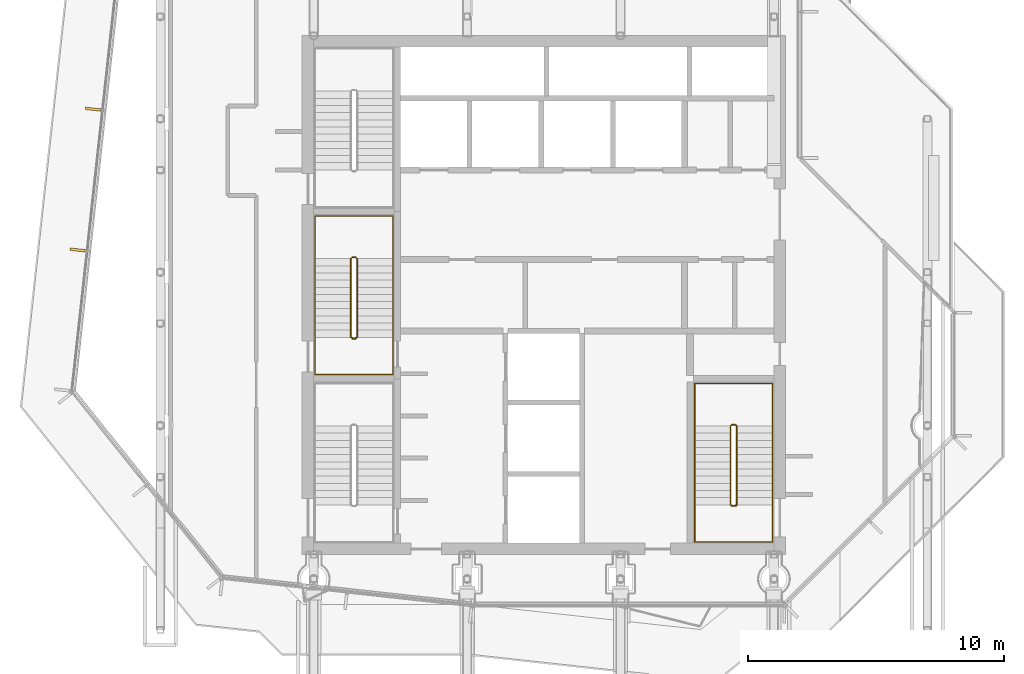
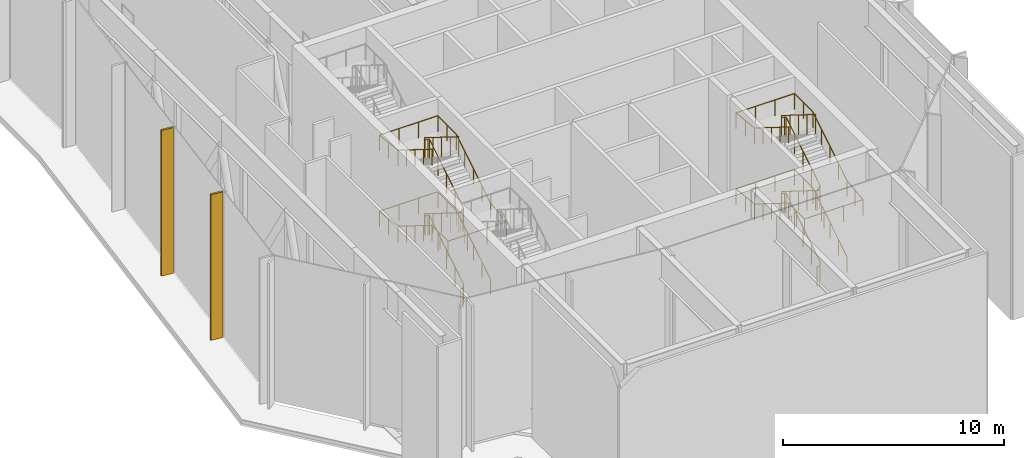
# One storey, part 17 of 21: 4 railings, 2 coverings.
"""IFC4 building model written with IfcOpenShell, lengths in metres."""

from ifc_helpers import new_model, si_unit, direction, frame, origin, origin_2d, place, context, subcontext, project, spatial, rectangle, circle, extrude, material, layer, layer_set, type_object, element, save


model = new_model("IFC4")

# Units and contexts
model_context = context("Model", 3, precision=1e-05, world=origin(), true_north=direction((0.0, 1.0)))
body_context = subcontext(model_context, "Body", "Model", "MODEL_VIEW")
ifc_project = project(units=[si_unit("LENGTHUNIT", "METRE"), si_unit("AREAUNIT", "SQUARE_METRE"), si_unit("VOLUMEUNIT", "CUBIC_METRE"), si_unit("PLANEANGLEUNIT", "RADIAN"), si_unit("MASSUNIT", "GRAM", prefix="KILO")], contexts=[model_context])

# Site, building, storey
site_placement = place(None, origin())
site = spatial("IfcSite", under=ifc_project, at=site_placement, CompositionType="ELEMENT")
building_placement = place(site_placement, origin())
building = spatial("IfcBuilding", under=site, at=building_placement, Name="Welwitschia Terrace Campus", CompositionType="ELEMENT")
storey_placement = place(building_placement, frame((0.0, 0.0, 255.800048828125)))
storey = spatial("IfcBuildingStorey", under=building, at=storey_placement, Name="L57", CompositionType="ELEMENT", Elevation=255.800048828125)

# Coverings
ifc_material_1 = material(Name="Bronze anodised aluminium", Category="aluminium")
ifc_layer = layer(ifc_material_1, 0.10009765625)
ifc_layer_set = layer_set([ifc_layer], Name="Bronze anodised aluminium")
covering_type = type_object("IfcCoveringType", Name="Bronze fin 100x600", PredefinedType="USERDEFINED", material=ifc_layer_set)
for number, where, z_axis, x_axis, name in (
    (1, (-2.6337890625, 22.374755859375, 0.0), (0.0, 0.0, 1.0), (-0.108866874852, -0.994056338222, 0.0), "Fin L57.8.2"),
    (2, (-3.23681640625, 16.868408203125, 0.0), (0.0, 0.0, 1.0), (-0.108866874852, -0.994056338222, 0.0), "Fin L57.8.3"),
):
    element("IfcCovering", number, at=place(storey_placement, frame(where, z_axis=z_axis, x_axis=x_axis)), inside=storey, type_object=covering_type, Name=name, ObjectType="FIN", PredefinedType="USERDEFINED", context=body_context, shape_type="SweptSolid", body=[
        extrude(rectangle(XDim=0.10009765625, YDim=0.60009765625, at=origin_2d()), origin(), (0.0, 0.0, 1.0), 8.050048828125),
    ])

# Railings
ifc_material_2 = material(Name="Steel S355", Category="steel")
railing_type_1 = type_object("IfcRailingType", Name="Stair guard 1100", PredefinedType="GUARDRAIL", material=ifc_material_2)
railing_1_placement = place(storey_placement, frame((7.5, 13.39990234375, 0.0)))
element("IfcRailing", 3, at=railing_1_placement, inside=storey, type_object=railing_type_1, Name="L57 S3 stair guard", PredefinedType="GUARDRAIL", context=body_context, shape_type="SweptSolid", body=[
    extrude(circle(Radius=0.02392578125, at=origin_2d()), frame((0.0, 0.0, 1.076171875), z_axis=(1.0, 0.0, 0.0), x_axis=(0.0, 1.0, 0.0)), (0.0, 0.0, 1.0), 0.14990234375),
    extrude(circle(Radius=0.02392578125, at=origin_2d()), frame((0.14990234375, 0.0, 1.076171875), z_axis=(0.265065253269, 0.265065253269, 0.927081885822), x_axis=(-0.707106781187, 0.707106781187, 0.0)), (0.0, 0.0, 1.0), 0.188720703125),
    extrude(circle(Radius=0.02392578125, at=origin_2d()), frame((0.199951171875, 0.050048828125, 1.2509765625), z_axis=(0.0, 0.848028513186, 0.529950602248), x_axis=(-1.0, 0.0, 0.0)), (0.0, 0.0, 1.0), 3.632080078125),
    extrude(circle(Radius=0.02392578125, at=origin_2d()), frame((0.199951171875, 3.130126953125, 3.17578125), z_axis=(-0.707106781187, 0.707106781187, 0.0), x_axis=(-0.707106781187, -0.707106781187, 0.0)), (0.0, 0.0, 1.0), 0.07080078125),
    extrude(circle(Radius=0.02392578125, at=origin_2d()), frame((0.14990234375, 3.18017578125, 3.17578125), z_axis=(-1.0, 0.0, 0.0), x_axis=(0.0, -1.0, 0.0)), (0.0, 0.0, 1.0), 0.14990234375),
    extrude(circle(Radius=0.02392578125, at=origin_2d()), frame((0.0, 3.18017578125, 3.17578125), z_axis=(-0.265065253269, -0.265065253269, 0.927081885822), x_axis=(0.707106781187, -0.707106781187, 0.0)), (0.0, 0.0, 1.0), 0.188720703125),
    extrude(circle(Radius=0.02392578125, at=origin_2d()), frame((-0.050048828125, 3.130126953125, 3.35107421875), z_axis=(0.0, -0.847998304005, 0.529998940003), x_axis=(1.0, 0.0, 0.0)), (0.0, 0.0, 1.0), 3.632080078125),
    extrude(circle(Radius=0.02392578125, at=origin_2d()), frame((-0.050048828125, 0.050048828125, 5.27587890625), z_axis=(0.970072785993, -0.242814311512, 0.0), x_axis=(0.242814311512, 0.970072785993, 0.0)), (0.0, 0.0, 1.0), 0.2060546875),
    extrude(circle(Radius=0.02392578125, at=origin_2d()), frame((0.14990234375, 0.0, 5.27587890625), z_axis=(-1.0, 0.0, 0.0), x_axis=(0.0, -1.0, 0.0)), (0.0, 0.0, 1.0), 0.14990234375),
    extrude(circle(Radius=0.02392578125, at=origin_2d()), frame((0.0, 0.0, 5.27587890625), z_axis=(0.739407315901, 0.185077533284, 0.647319957877), x_axis=(-0.242814311512, 0.970072785993, 0.0)), (0.0, 0.0, 1.0), 0.2705078125),
    extrude(circle(Radius=0.02392578125, at=origin_2d()), frame((0.199951171875, 0.050048828125, 5.451171875), z_axis=(0.0, 0.847998304005, 0.529998940003), x_axis=(-1.0, 0.0, 0.0)), (0.0, 0.0, 1.0), 3.632080078125),
    extrude(circle(Radius=0.02392578125, at=origin_2d()), frame((0.199951171875, 3.130126953125, 7.3759765625), z_axis=(-0.707106781187, 0.707106781187, 0.0), x_axis=(-0.707106781187, -0.707106781187, 0.0)), (0.0, 0.0, 1.0), 0.07080078125),
    extrude(circle(Radius=0.02392578125, at=origin_2d()), frame((0.14990234375, 3.18017578125, 7.3759765625), z_axis=(-1.0, 0.0, 0.0), x_axis=(0.0, -1.0, 0.0)), (0.0, 0.0, 1.0), 0.14990234375),
    extrude(circle(Radius=0.02392578125, at=origin_2d()), frame((0.0, 3.18017578125, 7.3759765625), z_axis=(-0.265383341853, -0.265383341853, 0.926899867156), x_axis=(0.707106781187, -0.707106781187, 0.0)), (0.0, 0.0, 1.0), 0.1884765625),
    extrude(circle(Radius=0.02392578125, at=origin_2d()), frame((-0.050048828125, 3.130126953125, 7.55078125), z_axis=(0.0, -0.847998304005, 0.529998940003), x_axis=(1.0, 0.0, 0.0)), (0.0, 0.0, 1.0), 3.632080078125),
    extrude(circle(Radius=0.02099609375, at=origin_2d()), origin(), (0.0, 0.0, 1.0), 1.052001953125),
    extrude(circle(Radius=0.02099609375, at=origin_2d()), frame((0.14990234375, 0.0, 0.0)), (0.0, 0.0, 1.0), 1.052001953125),
    extrude(circle(Radius=0.02099609375, at=origin_2d()), frame((0.199951171875, 0.050048828125, 0.175048828125)), (0.0, 0.0, 1.0), 1.052001953125),
    extrude(circle(Radius=0.02099609375, at=origin_2d()), frame((0.199951171875, 0.820068359375, 0.65625)), (0.0, 0.0, 1.0), 1.052001953125),
    extrude(circle(Radius=0.02099609375, at=origin_2d()), frame((0.199951171875, 1.590087890625, 1.137451171875)), (0.0, 0.0, 1.0), 1.052001953125),
    extrude(circle(Radius=0.02099609375, at=origin_2d()), frame((0.199951171875, 2.360107421875, 1.61865234375)), (0.0, 0.0, 1.0), 1.052001953125),
    extrude(circle(Radius=0.02099609375, at=origin_2d()), frame((0.199951171875, 3.130126953125, 2.099853515625)), (0.0, 0.0, 1.0), 1.052001953125),
    extrude(circle(Radius=0.02099609375, at=origin_2d()), frame((0.14990234375, 3.18017578125, 2.099853515625)), (0.0, 0.0, 1.0), 1.052001953125),
    extrude(circle(Radius=0.02099609375, at=origin_2d()), frame((0.0, 3.18017578125, 2.099853515625)), (0.0, 0.0, 1.0), 1.052001953125),
    extrude(circle(Radius=0.02099609375, at=origin_2d()), frame((-0.050048828125, 3.130126953125, 2.27490234375)), (0.0, 0.0, 1.0), 1.052001953125),
    extrude(circle(Radius=0.02099609375, at=origin_2d()), frame((-0.050048828125, 2.360107421875, 2.756103515625)), (0.0, 0.0, 1.0), 1.052001953125),
    extrude(circle(Radius=0.02099609375, at=origin_2d()), frame((-0.050048828125, 1.590087890625, 3.2373046875)), (0.0, 0.0, 1.0), 1.052001953125),
    extrude(circle(Radius=0.02099609375, at=origin_2d()), frame((-0.050048828125, 0.820068359375, 3.71875)), (0.0, 0.0, 1.0), 1.052001953125),
    extrude(circle(Radius=0.02099609375, at=origin_2d()), frame((-0.050048828125, 0.050048828125, 4.199951171875)), (0.0, 0.0, 1.0), 1.052001953125),
    extrude(circle(Radius=0.02099609375, at=origin_2d()), frame((0.14990234375, 0.0, 4.199951171875)), (0.0, 0.0, 1.0), 1.052001953125),
    extrude(circle(Radius=0.02099609375, at=origin_2d()), frame((0.0, 0.0, 4.199951171875)), (0.0, 0.0, 1.0), 1.052001953125),
    extrude(circle(Radius=0.02099609375, at=origin_2d()), frame((0.199951171875, 0.050048828125, 4.375)), (0.0, 0.0, 1.0), 1.052001953125),
    extrude(circle(Radius=0.02099609375, at=origin_2d()), frame((0.199951171875, 0.820068359375, 4.856201171875)), (0.0, 0.0, 1.0), 1.052001953125),
    extrude(circle(Radius=0.02099609375, at=origin_2d()), frame((0.199951171875, 1.590087890625, 5.33740234375)), (0.0, 0.0, 1.0), 1.052001953125),
    extrude(circle(Radius=0.02099609375, at=origin_2d()), frame((0.199951171875, 2.360107421875, 5.81884765625)), (0.0, 0.0, 1.0), 1.052001953125),
    extrude(circle(Radius=0.02099609375, at=origin_2d()), frame((0.199951171875, 3.130126953125, 6.300048828125)), (0.0, 0.0, 1.0), 1.052001953125),
    extrude(circle(Radius=0.02099609375, at=origin_2d()), frame((0.14990234375, 3.18017578125, 6.300048828125)), (0.0, 0.0, 1.0), 1.052001953125),
    extrude(circle(Radius=0.02099609375, at=origin_2d()), frame((0.0, 3.18017578125, 6.300048828125)), (0.0, 0.0, 1.0), 1.052001953125),
    extrude(circle(Radius=0.02099609375, at=origin_2d()), frame((-0.050048828125, 3.130126953125, 6.474853515625)), (0.0, 0.0, 1.0), 1.052001953125),
    extrude(circle(Radius=0.02099609375, at=origin_2d()), frame((-0.050048828125, 2.360107421875, 6.9560546875)), (0.0, 0.0, 1.0), 1.052001953125),
    extrude(circle(Radius=0.02099609375, at=origin_2d()), frame((-0.050048828125, 1.590087890625, 7.4375)), (0.0, 0.0, 1.0), 1.052001953125),
    extrude(circle(Radius=0.02099609375, at=origin_2d()), frame((-0.050048828125, 0.820068359375, 7.918701171875)), (0.0, 0.0, 1.0), 1.052001953125),
    extrude(circle(Radius=0.02099609375, at=origin_2d()), frame((-0.050048828125, 0.050048828125, 8.39990234375)), (0.0, 0.0, 1.0), 1.052001953125),
])
railing_2_placement = place(storey_placement, frame((22.35009765625, 6.85009765625, 0.0)))
element("IfcRailing", 4, at=railing_2_placement, inside=storey, type_object=railing_type_1, Name="L57 S2 stair guard", PredefinedType="GUARDRAIL", context=body_context, shape_type="SweptSolid", body=[
    extrude(circle(Radius=0.02392578125, at=origin_2d()), frame((0.0, 0.0, 1.076171875), z_axis=(1.0, 0.0, 0.0), x_axis=(0.0, 1.0, 0.0)), (0.0, 0.0, 1.0), 0.14990234375),
    extrude(circle(Radius=0.02392578125, at=origin_2d()), frame((0.14990234375, 0.0, 1.076171875), z_axis=(0.265155923931, 0.263862480399, 0.927399011991), x_axis=(-0.705375805398, 0.708833529934, 0.0)), (0.0, 0.0, 1.0), 0.188720703125),
    extrude(circle(Radius=0.02392578125, at=origin_2d()), frame((0.199951171875, 0.0498046875, 1.2509765625), z_axis=(0.0, 0.848028513186, 0.529950602248), x_axis=(-1.0, 0.0, 0.0)), (0.0, 0.0, 1.0), 3.632080078125),
    extrude(circle(Radius=0.02392578125, at=origin_2d()), frame((0.199951171875, 3.1298828125, 3.17578125), z_axis=(-0.707106781187, 0.707106781187, 0.0), x_axis=(-0.707106781187, -0.707106781187, 0.0)), (0.0, 0.0, 1.0), 0.07080078125),
    extrude(circle(Radius=0.02392578125, at=origin_2d()), frame((0.14990234375, 3.179931640625, 3.17578125), z_axis=(-1.0, 0.0, 0.0), x_axis=(0.0, -1.0, 0.0)), (0.0, 0.0, 1.0), 0.14990234375),
    extrude(circle(Radius=0.02392578125, at=origin_2d()), frame((0.0, 3.179931640625, 3.17578125), z_axis=(-0.265065253269, -0.265065253269, 0.927081885822), x_axis=(0.707106781187, -0.707106781187, 0.0)), (0.0, 0.0, 1.0), 0.188720703125),
    extrude(circle(Radius=0.02392578125, at=origin_2d()), frame((-0.050048828125, 3.1298828125, 3.35107421875), z_axis=(0.0, -0.847998304005, 0.529998940003), x_axis=(1.0, 0.0, 0.0)), (0.0, 0.0, 1.0), 3.632080078125),
    extrude(circle(Radius=0.02392578125, at=origin_2d()), frame((-0.050048828125, 0.0498046875, 5.27587890625), z_axis=(0.970351222016, -0.241699205484, 0.0), x_axis=(0.241699205484, 0.970351222016, 0.0)), (0.0, 0.0, 1.0), 0.2060546875),
    extrude(circle(Radius=0.02392578125, at=origin_2d()), frame((0.14990234375, 0.0, 5.27587890625), z_axis=(-1.0, 0.0, 0.0), x_axis=(0.0, -1.0, 0.0)), (0.0, 0.0, 1.0), 0.14990234375),
    extrude(circle(Radius=0.02392578125, at=origin_2d()), frame((0.0, 0.0, 5.27587890625), z_axis=(0.739530593833, 0.18420542264, 0.647427882513), x_axis=(-0.241699205484, 0.970351222016, 0.0)), (0.0, 0.0, 1.0), 0.270263671875),
    extrude(circle(Radius=0.02392578125, at=origin_2d()), frame((0.199951171875, 0.0498046875, 5.451171875), z_axis=(0.0, 0.847998304005, 0.529998940003), x_axis=(-1.0, 0.0, 0.0)), (0.0, 0.0, 1.0), 3.632080078125),
    extrude(circle(Radius=0.02392578125, at=origin_2d()), frame((0.199951171875, 3.1298828125, 7.3759765625), z_axis=(-0.707106781187, 0.707106781187, 0.0), x_axis=(-0.707106781187, -0.707106781187, 0.0)), (0.0, 0.0, 1.0), 0.07080078125),
    extrude(circle(Radius=0.02392578125, at=origin_2d()), frame((0.14990234375, 3.179931640625, 7.3759765625), z_axis=(-1.0, 0.0, 0.0), x_axis=(0.0, -1.0, 0.0)), (0.0, 0.0, 1.0), 0.14990234375),
    extrude(circle(Radius=0.02392578125, at=origin_2d()), frame((0.0, 3.179931640625, 7.3759765625), z_axis=(-0.265383341853, -0.265383341853, 0.926899867156), x_axis=(0.707106781187, -0.707106781187, 0.0)), (0.0, 0.0, 1.0), 0.1884765625),
    extrude(circle(Radius=0.02392578125, at=origin_2d()), frame((-0.050048828125, 3.1298828125, 7.55078125), z_axis=(0.0, -0.847998304005, 0.529998940003), x_axis=(1.0, 0.0, 0.0)), (0.0, 0.0, 1.0), 3.632080078125),
    extrude(circle(Radius=0.02099609375, at=origin_2d()), origin(), (0.0, 0.0, 1.0), 1.052001953125),
    extrude(circle(Radius=0.02099609375, at=origin_2d()), frame((0.14990234375, 0.0, 0.0)), (0.0, 0.0, 1.0), 1.052001953125),
    extrude(circle(Radius=0.02099609375, at=origin_2d()), frame((0.199951171875, 0.0498046875, 0.175048828125)), (0.0, 0.0, 1.0), 1.052001953125),
    extrude(circle(Radius=0.02099609375, at=origin_2d()), frame((0.199951171875, 0.81982421875, 0.65625)), (0.0, 0.0, 1.0), 1.052001953125),
    extrude(circle(Radius=0.02099609375, at=origin_2d()), frame((0.199951171875, 1.58984375, 1.137451171875)), (0.0, 0.0, 1.0), 1.052001953125),
    extrude(circle(Radius=0.02099609375, at=origin_2d()), frame((0.199951171875, 2.35986328125, 1.61865234375)), (0.0, 0.0, 1.0), 1.052001953125),
    extrude(circle(Radius=0.02099609375, at=origin_2d()), frame((0.199951171875, 3.1298828125, 2.099853515625)), (0.0, 0.0, 1.0), 1.052001953125),
    extrude(circle(Radius=0.02099609375, at=origin_2d()), frame((0.14990234375, 3.179931640625, 2.099853515625)), (0.0, 0.0, 1.0), 1.052001953125),
    extrude(circle(Radius=0.02099609375, at=origin_2d()), frame((0.0, 3.179931640625, 2.099853515625)), (0.0, 0.0, 1.0), 1.052001953125),
    extrude(circle(Radius=0.02099609375, at=origin_2d()), frame((-0.050048828125, 3.1298828125, 2.27490234375)), (0.0, 0.0, 1.0), 1.052001953125),
    extrude(circle(Radius=0.02099609375, at=origin_2d()), frame((-0.050048828125, 2.35986328125, 2.756103515625)), (0.0, 0.0, 1.0), 1.052001953125),
    extrude(circle(Radius=0.02099609375, at=origin_2d()), frame((-0.050048828125, 1.58984375, 3.2373046875)), (0.0, 0.0, 1.0), 1.052001953125),
    extrude(circle(Radius=0.02099609375, at=origin_2d()), frame((-0.050048828125, 0.81982421875, 3.71875)), (0.0, 0.0, 1.0), 1.052001953125),
    extrude(circle(Radius=0.02099609375, at=origin_2d()), frame((-0.050048828125, 0.0498046875, 4.199951171875)), (0.0, 0.0, 1.0), 1.052001953125),
    extrude(circle(Radius=0.02099609375, at=origin_2d()), frame((0.14990234375, 0.0, 4.199951171875)), (0.0, 0.0, 1.0), 1.052001953125),
    extrude(circle(Radius=0.02099609375, at=origin_2d()), frame((0.0, 0.0, 4.199951171875)), (0.0, 0.0, 1.0), 1.052001953125),
    extrude(circle(Radius=0.02099609375, at=origin_2d()), frame((0.199951171875, 0.0498046875, 4.375)), (0.0, 0.0, 1.0), 1.052001953125),
    extrude(circle(Radius=0.02099609375, at=origin_2d()), frame((0.199951171875, 0.81982421875, 4.856201171875)), (0.0, 0.0, 1.0), 1.052001953125),
    extrude(circle(Radius=0.02099609375, at=origin_2d()), frame((0.199951171875, 1.58984375, 5.33740234375)), (0.0, 0.0, 1.0), 1.052001953125),
    extrude(circle(Radius=0.02099609375, at=origin_2d()), frame((0.199951171875, 2.35986328125, 5.81884765625)), (0.0, 0.0, 1.0), 1.052001953125),
    extrude(circle(Radius=0.02099609375, at=origin_2d()), frame((0.199951171875, 3.1298828125, 6.300048828125)), (0.0, 0.0, 1.0), 1.052001953125),
    extrude(circle(Radius=0.02099609375, at=origin_2d()), frame((0.14990234375, 3.179931640625, 6.300048828125)), (0.0, 0.0, 1.0), 1.052001953125),
    extrude(circle(Radius=0.02099609375, at=origin_2d()), frame((0.0, 3.179931640625, 6.300048828125)), (0.0, 0.0, 1.0), 1.052001953125),
    extrude(circle(Radius=0.02099609375, at=origin_2d()), frame((-0.050048828125, 3.1298828125, 6.474853515625)), (0.0, 0.0, 1.0), 1.052001953125),
    extrude(circle(Radius=0.02099609375, at=origin_2d()), frame((-0.050048828125, 2.35986328125, 6.9560546875)), (0.0, 0.0, 1.0), 1.052001953125),
    extrude(circle(Radius=0.02099609375, at=origin_2d()), frame((-0.050048828125, 1.58984375, 7.4375)), (0.0, 0.0, 1.0), 1.052001953125),
    extrude(circle(Radius=0.02099609375, at=origin_2d()), frame((-0.050048828125, 0.81982421875, 7.918701171875)), (0.0, 0.0, 1.0), 1.052001953125),
    extrude(circle(Radius=0.02099609375, at=origin_2d()), frame((-0.050048828125, 0.0498046875, 8.39990234375)), (0.0, 0.0, 1.0), 1.052001953125),
])
ifc_material_3 = material(Name="Steel S355", Category="steel")
railing_type_2 = type_object("IfcRailingType", Name="Stair handrail 900", PredefinedType="HANDRAIL", material=ifc_material_3)
railing_3_placement = place(storey_placement, frame((9.10009765625, 13.449951171875, 0.175048828125)))
element("IfcRailing", 5, at=railing_3_placement, inside=storey, type_object=railing_type_2, Name="L57 S3 stair handrail", PredefinedType="HANDRAIL", context=body_context, shape_type="SweptSolid", body=[
    extrude(circle(Radius=0.02392578125, at=origin_2d()), frame((0.0, 0.0, 0.8759765625), z_axis=(0.0, 0.848028513186, 0.529950602248), x_axis=(-1.0, 0.0, 0.0)), (0.0, 0.0, 1.0), 3.632080078125),
    extrude(circle(Radius=0.02392578125, at=origin_2d()), frame((0.0, 3.080078125, 2.80078125), z_axis=(0.0, 1.0, 0.0), x_axis=(-1.0, 0.0, 0.0)), (0.0, 0.0, 1.0), 1.669921875),
    extrude(circle(Radius=0.02392578125, at=origin_2d()), frame((0.0, 4.75, 2.80078125), z_axis=(-1.0, 0.0, 0.0), x_axis=(0.0, -1.0, 0.0)), (0.0, 0.0, 1.0), 3.050048828125),
    extrude(circle(Radius=0.02392578125, at=origin_2d()), frame((-3.050048828125, 4.75, 2.80078125), z_axis=(0.0, -0.99455077262, 0.104253348533), x_axis=(1.0, 0.0, 0.0)), (0.0, 0.0, 1.0), 1.678955078125),
    extrude(circle(Radius=0.02392578125, at=origin_2d()), frame((-3.050048828125, 3.080078125, 2.9755859375), z_axis=(0.0, -0.847998304005, 0.529998940003), x_axis=(1.0, 0.0, 0.0)), (0.0, 0.0, 1.0), 3.632080078125),
    extrude(circle(Radius=0.02392578125, at=origin_2d()), frame((-3.050048828125, 0.0, 4.90087890625), z_axis=(0.0, -1.0, 0.0), x_axis=(1.0, 0.0, 0.0)), (0.0, 0.0, 1.0), 1.449951171875),
    extrude(circle(Radius=0.02392578125, at=origin_2d()), frame((-3.050048828125, -1.449951171875, 4.90087890625), z_axis=(1.0, 0.0, 0.0), x_axis=(0.0, 1.0, 0.0)), (0.0, 0.0, 1.0), 3.050048828125),
    extrude(circle(Radius=0.02392578125, at=origin_2d()), frame((0.0, -1.449951171875, 4.90087890625), z_axis=(0.0, 0.992791155251, 0.119857090136), x_axis=(-1.0, 0.0, 0.0)), (0.0, 0.0, 1.0), 1.46044921875),
    extrude(circle(Radius=0.02392578125, at=origin_2d()), frame((0.0, 0.0, 5.07568359375), z_axis=(0.0, 0.847998304005, 0.529998940003), x_axis=(-1.0, 0.0, 0.0)), (0.0, 0.0, 1.0), 3.632080078125),
    extrude(circle(Radius=0.02392578125, at=origin_2d()), frame((0.0, 3.080078125, 7.0009765625), z_axis=(0.0, 1.0, 0.0), x_axis=(-1.0, 0.0, 0.0)), (0.0, 0.0, 1.0), 1.669921875),
    extrude(circle(Radius=0.02392578125, at=origin_2d()), frame((0.0, 4.75, 7.0009765625), z_axis=(-1.0, 0.0, 0.0), x_axis=(0.0, -1.0, 0.0)), (0.0, 0.0, 1.0), 3.050048828125),
    extrude(circle(Radius=0.02392578125, at=origin_2d()), frame((-3.050048828125, 4.75, 7.0009765625), z_axis=(0.0, -0.994565838508, 0.104109523446), x_axis=(1.0, 0.0, 0.0)), (0.0, 0.0, 1.0), 1.678955078125),
    extrude(circle(Radius=0.02392578125, at=origin_2d()), frame((-3.050048828125, 3.080078125, 7.17578125), z_axis=(0.0, -0.847998304005, 0.529998940003), x_axis=(1.0, 0.0, 0.0)), (0.0, 0.0, 1.0), 3.632080078125),
    extrude(circle(Radius=0.02099609375, at=origin_2d()), origin(), (0.0, 0.0, 1.0), 0.851806640625),
    extrude(circle(Radius=0.02099609375, at=origin_2d()), frame((0.0, 0.77001953125, 0.481201171875)), (0.0, 0.0, 1.0), 0.851806640625),
    extrude(circle(Radius=0.02099609375, at=origin_2d()), frame((0.0, 1.5400390625, 0.96240234375)), (0.0, 0.0, 1.0), 0.851806640625),
    extrude(circle(Radius=0.02099609375, at=origin_2d()), frame((0.0, 2.31005859375, 1.443603515625)), (0.0, 0.0, 1.0), 0.851806640625),
    extrude(circle(Radius=0.02099609375, at=origin_2d()), frame((0.0, 3.080078125, 1.9248046875)), (0.0, 0.0, 1.0), 0.851806640625),
    extrude(circle(Radius=0.02099609375, at=origin_2d()), frame((0.0, 3.9150390625, 1.9248046875)), (0.0, 0.0, 1.0), 0.851806640625),
    extrude(circle(Radius=0.02099609375, at=origin_2d()), frame((0.0, 4.75, 1.9248046875)), (0.0, 0.0, 1.0), 0.851806640625),
    extrude(circle(Radius=0.02099609375, at=origin_2d()), frame((-1.0166015625, 4.75, 1.9248046875)), (0.0, 0.0, 1.0), 0.851806640625),
    extrude(circle(Radius=0.02099609375, at=origin_2d()), frame((-2.033447265625, 4.75, 1.9248046875)), (0.0, 0.0, 1.0), 0.851806640625),
    extrude(circle(Radius=0.02099609375, at=origin_2d()), frame((-3.050048828125, 4.75, 1.9248046875)), (0.0, 0.0, 1.0), 0.851806640625),
    extrude(circle(Radius=0.02099609375, at=origin_2d()), frame((-3.050048828125, 3.9150390625, 2.01220703125)), (0.0, 0.0, 1.0), 0.851806640625),
    extrude(circle(Radius=0.02099609375, at=origin_2d()), frame((-3.050048828125, 3.080078125, 2.099853515625)), (0.0, 0.0, 1.0), 0.851806640625),
    extrude(circle(Radius=0.02099609375, at=origin_2d()), frame((-3.050048828125, 2.31005859375, 2.5810546875)), (0.0, 0.0, 1.0), 0.851806640625),
    extrude(circle(Radius=0.02099609375, at=origin_2d()), frame((-3.050048828125, 1.5400390625, 3.0625)), (0.0, 0.0, 1.0), 0.851806640625),
    extrude(circle(Radius=0.02099609375, at=origin_2d()), frame((-3.050048828125, 0.77001953125, 3.543701171875)), (0.0, 0.0, 1.0), 0.851806640625),
    extrude(circle(Radius=0.02099609375, at=origin_2d()), frame((-3.050048828125, 0.0, 4.02490234375)), (0.0, 0.0, 1.0), 0.851806640625),
    extrude(circle(Radius=0.02099609375, at=origin_2d()), frame((-3.050048828125, -0.72509765625, 4.02490234375)), (0.0, 0.0, 1.0), 0.851806640625),
    extrude(circle(Radius=0.02099609375, at=origin_2d()), frame((-3.050048828125, -1.449951171875, 4.02490234375)), (0.0, 0.0, 1.0), 0.851806640625),
    extrude(circle(Radius=0.02099609375, at=origin_2d()), frame((-2.033447265625, -1.449951171875, 4.02490234375)), (0.0, 0.0, 1.0), 0.851806640625),
    extrude(circle(Radius=0.02099609375, at=origin_2d()), frame((-1.0166015625, -1.449951171875, 4.02490234375)), (0.0, 0.0, 1.0), 0.851806640625),
    extrude(circle(Radius=0.02099609375, at=origin_2d()), frame((0.0, -1.449951171875, 4.02490234375)), (0.0, 0.0, 1.0), 0.851806640625),
    extrude(circle(Radius=0.02099609375, at=origin_2d()), frame((0.0, -0.72509765625, 4.1123046875)), (0.0, 0.0, 1.0), 0.851806640625),
    extrude(circle(Radius=0.02099609375, at=origin_2d()), frame((0.0, 0.0, 4.199951171875)), (0.0, 0.0, 1.0), 0.851806640625),
    extrude(circle(Radius=0.02099609375, at=origin_2d()), frame((0.0, 0.77001953125, 4.68115234375)), (0.0, 0.0, 1.0), 0.851806640625),
    extrude(circle(Radius=0.02099609375, at=origin_2d()), frame((0.0, 1.5400390625, 5.16259765625)), (0.0, 0.0, 1.0), 0.851806640625),
    extrude(circle(Radius=0.02099609375, at=origin_2d()), frame((0.0, 2.31005859375, 5.643798828125)), (0.0, 0.0, 1.0), 0.851806640625),
    extrude(circle(Radius=0.02099609375, at=origin_2d()), frame((0.0, 3.080078125, 6.125)), (0.0, 0.0, 1.0), 0.851806640625),
    extrude(circle(Radius=0.02099609375, at=origin_2d()), frame((0.0, 3.9150390625, 6.125)), (0.0, 0.0, 1.0), 0.851806640625),
    extrude(circle(Radius=0.02099609375, at=origin_2d()), frame((0.0, 4.75, 6.125)), (0.0, 0.0, 1.0), 0.851806640625),
    extrude(circle(Radius=0.02099609375, at=origin_2d()), frame((-1.0166015625, 4.75, 6.125)), (0.0, 0.0, 1.0), 0.851806640625),
    extrude(circle(Radius=0.02099609375, at=origin_2d()), frame((-2.033447265625, 4.75, 6.125)), (0.0, 0.0, 1.0), 0.851806640625),
    extrude(circle(Radius=0.02099609375, at=origin_2d()), frame((-3.050048828125, 4.75, 6.125)), (0.0, 0.0, 1.0), 0.851806640625),
    extrude(circle(Radius=0.02099609375, at=origin_2d()), frame((-3.050048828125, 3.9150390625, 6.21240234375)), (0.0, 0.0, 1.0), 0.851806640625),
    extrude(circle(Radius=0.02099609375, at=origin_2d()), frame((-3.050048828125, 3.080078125, 6.2998046875)), (0.0, 0.0, 1.0), 0.851806640625),
    extrude(circle(Radius=0.02099609375, at=origin_2d()), frame((-3.050048828125, 2.31005859375, 6.781005859375)), (0.0, 0.0, 1.0), 0.851806640625),
    extrude(circle(Radius=0.02099609375, at=origin_2d()), frame((-3.050048828125, 1.5400390625, 7.26220703125)), (0.0, 0.0, 1.0), 0.851806640625),
    extrude(circle(Radius=0.02099609375, at=origin_2d()), frame((-3.050048828125, 0.77001953125, 7.74365234375)), (0.0, 0.0, 1.0), 0.851806640625),
    extrude(circle(Radius=0.02099609375, at=origin_2d()), frame((-3.050048828125, 0.0, 8.224853515625)), (0.0, 0.0, 1.0), 0.851806640625),
])
railing_4_placement = place(storey_placement, frame((23.949951171875, 6.89990234375, 0.175048828125)))
element("IfcRailing", 6, at=railing_4_placement, inside=storey, type_object=railing_type_2, Name="L57 S2 stair handrail", PredefinedType="HANDRAIL", context=body_context, shape_type="SweptSolid", body=[
    extrude(circle(Radius=0.02392578125, at=origin_2d()), frame((0.0, 0.0, 0.8759765625), z_axis=(0.0, 0.848028513186, 0.529950602248), x_axis=(-1.0, 0.0, 0.0)), (0.0, 0.0, 1.0), 3.632080078125),
    extrude(circle(Radius=0.02392578125, at=origin_2d()), frame((0.0, 3.080078125, 2.80078125), z_axis=(0.0, 1.0, 0.0), x_axis=(-1.0, 0.0, 0.0)), (0.0, 0.0, 1.0), 1.669921875),
    extrude(circle(Radius=0.02392578125, at=origin_2d()), frame((0.0, 4.75, 2.80078125), z_axis=(-1.0, 0.0, 0.0), x_axis=(0.0, -1.0, 0.0)), (0.0, 0.0, 1.0), 3.050048828125),
    extrude(circle(Radius=0.02392578125, at=origin_2d()), frame((-3.050048828125, 4.75, 2.80078125), z_axis=(0.0, -0.99455077262, 0.104253348533), x_axis=(1.0, 0.0, 0.0)), (0.0, 0.0, 1.0), 1.678955078125),
    extrude(circle(Radius=0.02392578125, at=origin_2d()), frame((-3.050048828125, 3.080078125, 2.9755859375), z_axis=(0.0, -0.847998304005, 0.529998940003), x_axis=(1.0, 0.0, 0.0)), (0.0, 0.0, 1.0), 3.632080078125),
    extrude(circle(Radius=0.02392578125, at=origin_2d()), frame((-3.050048828125, 0.0, 4.90087890625), z_axis=(0.0, -1.0, 0.0), x_axis=(1.0, 0.0, 0.0)), (0.0, 0.0, 1.0), 1.449951171875),
    extrude(circle(Radius=0.02392578125, at=origin_2d()), frame((-3.050048828125, -1.449951171875, 4.90087890625), z_axis=(1.0, 0.0, 0.0), x_axis=(0.0, 1.0, 0.0)), (0.0, 0.0, 1.0), 3.050048828125),
    extrude(circle(Radius=0.02392578125, at=origin_2d()), frame((0.0, -1.449951171875, 4.90087890625), z_axis=(0.0, 0.992791155251, 0.119857090136), x_axis=(-1.0, 0.0, 0.0)), (0.0, 0.0, 1.0), 1.46044921875),
    extrude(circle(Radius=0.02392578125, at=origin_2d()), frame((0.0, 0.0, 5.07568359375), z_axis=(0.0, 0.847998304005, 0.529998940003), x_axis=(-1.0, 0.0, 0.0)), (0.0, 0.0, 1.0), 3.632080078125),
    extrude(circle(Radius=0.02392578125, at=origin_2d()), frame((0.0, 3.080078125, 7.0009765625), z_axis=(0.0, 1.0, 0.0), x_axis=(-1.0, 0.0, 0.0)), (0.0, 0.0, 1.0), 1.669921875),
    extrude(circle(Radius=0.02392578125, at=origin_2d()), frame((0.0, 4.75, 7.0009765625), z_axis=(-1.0, 0.0, 0.0), x_axis=(0.0, -1.0, 0.0)), (0.0, 0.0, 1.0), 3.050048828125),
    extrude(circle(Radius=0.02392578125, at=origin_2d()), frame((-3.050048828125, 4.75, 7.0009765625), z_axis=(0.0, -0.994565838508, 0.104109523446), x_axis=(1.0, 0.0, 0.0)), (0.0, 0.0, 1.0), 1.678955078125),
    extrude(circle(Radius=0.02392578125, at=origin_2d()), frame((-3.050048828125, 3.080078125, 7.17578125), z_axis=(0.0, -0.847998304005, 0.529998940003), x_axis=(1.0, 0.0, 0.0)), (0.0, 0.0, 1.0), 3.632080078125),
    extrude(circle(Radius=0.02099609375, at=origin_2d()), origin(), (0.0, 0.0, 1.0), 0.851806640625),
    extrude(circle(Radius=0.02099609375, at=origin_2d()), frame((0.0, 0.77001953125, 0.481201171875)), (0.0, 0.0, 1.0), 0.851806640625),
    extrude(circle(Radius=0.02099609375, at=origin_2d()), frame((0.0, 1.5400390625, 0.96240234375)), (0.0, 0.0, 1.0), 0.851806640625),
    extrude(circle(Radius=0.02099609375, at=origin_2d()), frame((0.0, 2.31005859375, 1.443603515625)), (0.0, 0.0, 1.0), 0.851806640625),
    extrude(circle(Radius=0.02099609375, at=origin_2d()), frame((0.0, 3.080078125, 1.9248046875)), (0.0, 0.0, 1.0), 0.851806640625),
    extrude(circle(Radius=0.02099609375, at=origin_2d()), frame((0.0, 3.9150390625, 1.9248046875)), (0.0, 0.0, 1.0), 0.851806640625),
    extrude(circle(Radius=0.02099609375, at=origin_2d()), frame((0.0, 4.75, 1.9248046875)), (0.0, 0.0, 1.0), 0.851806640625),
    extrude(circle(Radius=0.02099609375, at=origin_2d()), frame((-1.0166015625, 4.75, 1.9248046875)), (0.0, 0.0, 1.0), 0.851806640625),
    extrude(circle(Radius=0.02099609375, at=origin_2d()), frame((-2.033447265625, 4.75, 1.9248046875)), (0.0, 0.0, 1.0), 0.851806640625),
    extrude(circle(Radius=0.02099609375, at=origin_2d()), frame((-3.050048828125, 4.75, 1.9248046875)), (0.0, 0.0, 1.0), 0.851806640625),
    extrude(circle(Radius=0.02099609375, at=origin_2d()), frame((-3.050048828125, 3.9150390625, 2.01220703125)), (0.0, 0.0, 1.0), 0.851806640625),
    extrude(circle(Radius=0.02099609375, at=origin_2d()), frame((-3.050048828125, 3.080078125, 2.099853515625)), (0.0, 0.0, 1.0), 0.851806640625),
    extrude(circle(Radius=0.02099609375, at=origin_2d()), frame((-3.050048828125, 2.31005859375, 2.5810546875)), (0.0, 0.0, 1.0), 0.851806640625),
    extrude(circle(Radius=0.02099609375, at=origin_2d()), frame((-3.050048828125, 1.5400390625, 3.0625)), (0.0, 0.0, 1.0), 0.851806640625),
    extrude(circle(Radius=0.02099609375, at=origin_2d()), frame((-3.050048828125, 0.77001953125, 3.543701171875)), (0.0, 0.0, 1.0), 0.851806640625),
    extrude(circle(Radius=0.02099609375, at=origin_2d()), frame((-3.050048828125, 0.0, 4.02490234375)), (0.0, 0.0, 1.0), 0.851806640625),
    extrude(circle(Radius=0.02099609375, at=origin_2d()), frame((-3.050048828125, -0.72509765625, 4.02490234375)), (0.0, 0.0, 1.0), 0.851806640625),
    extrude(circle(Radius=0.02099609375, at=origin_2d()), frame((-3.050048828125, -1.449951171875, 4.02490234375)), (0.0, 0.0, 1.0), 0.851806640625),
    extrude(circle(Radius=0.02099609375, at=origin_2d()), frame((-2.033447265625, -1.449951171875, 4.02490234375)), (0.0, 0.0, 1.0), 0.851806640625),
    extrude(circle(Radius=0.02099609375, at=origin_2d()), frame((-1.0166015625, -1.449951171875, 4.02490234375)), (0.0, 0.0, 1.0), 0.851806640625),
    extrude(circle(Radius=0.02099609375, at=origin_2d()), frame((0.0, -1.449951171875, 4.02490234375)), (0.0, 0.0, 1.0), 0.851806640625),
    extrude(circle(Radius=0.02099609375, at=origin_2d()), frame((0.0, -0.72509765625, 4.1123046875)), (0.0, 0.0, 1.0), 0.851806640625),
    extrude(circle(Radius=0.02099609375, at=origin_2d()), frame((0.0, 0.0, 4.199951171875)), (0.0, 0.0, 1.0), 0.851806640625),
    extrude(circle(Radius=0.02099609375, at=origin_2d()), frame((0.0, 0.77001953125, 4.68115234375)), (0.0, 0.0, 1.0), 0.851806640625),
    extrude(circle(Radius=0.02099609375, at=origin_2d()), frame((0.0, 1.5400390625, 5.16259765625)), (0.0, 0.0, 1.0), 0.851806640625),
    extrude(circle(Radius=0.02099609375, at=origin_2d()), frame((0.0, 2.31005859375, 5.643798828125)), (0.0, 0.0, 1.0), 0.851806640625),
    extrude(circle(Radius=0.02099609375, at=origin_2d()), frame((0.0, 3.080078125, 6.125)), (0.0, 0.0, 1.0), 0.851806640625),
    extrude(circle(Radius=0.02099609375, at=origin_2d()), frame((0.0, 3.9150390625, 6.125)), (0.0, 0.0, 1.0), 0.851806640625),
    extrude(circle(Radius=0.02099609375, at=origin_2d()), frame((0.0, 4.75, 6.125)), (0.0, 0.0, 1.0), 0.851806640625),
    extrude(circle(Radius=0.02099609375, at=origin_2d()), frame((-1.0166015625, 4.75, 6.125)), (0.0, 0.0, 1.0), 0.851806640625),
    extrude(circle(Radius=0.02099609375, at=origin_2d()), frame((-2.033447265625, 4.75, 6.125)), (0.0, 0.0, 1.0), 0.851806640625),
    extrude(circle(Radius=0.02099609375, at=origin_2d()), frame((-3.050048828125, 4.75, 6.125)), (0.0, 0.0, 1.0), 0.851806640625),
    extrude(circle(Radius=0.02099609375, at=origin_2d()), frame((-3.050048828125, 3.9150390625, 6.21240234375)), (0.0, 0.0, 1.0), 0.851806640625),
    extrude(circle(Radius=0.02099609375, at=origin_2d()), frame((-3.050048828125, 3.080078125, 6.2998046875)), (0.0, 0.0, 1.0), 0.851806640625),
    extrude(circle(Radius=0.02099609375, at=origin_2d()), frame((-3.050048828125, 2.31005859375, 6.781005859375)), (0.0, 0.0, 1.0), 0.851806640625),
    extrude(circle(Radius=0.02099609375, at=origin_2d()), frame((-3.050048828125, 1.5400390625, 7.26220703125)), (0.0, 0.0, 1.0), 0.851806640625),
    extrude(circle(Radius=0.02099609375, at=origin_2d()), frame((-3.050048828125, 0.77001953125, 7.74365234375)), (0.0, 0.0, 1.0), 0.851806640625),
    extrude(circle(Radius=0.02099609375, at=origin_2d()), frame((-3.050048828125, 0.0, 8.224853515625)), (0.0, 0.0, 1.0), 0.851806640625),
])

save(model, "model.ifc")
